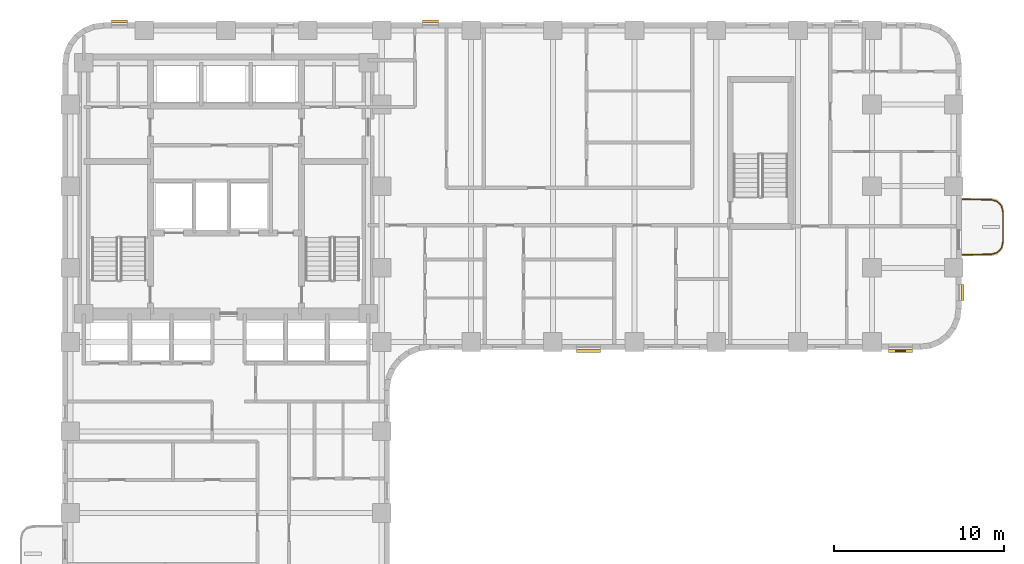
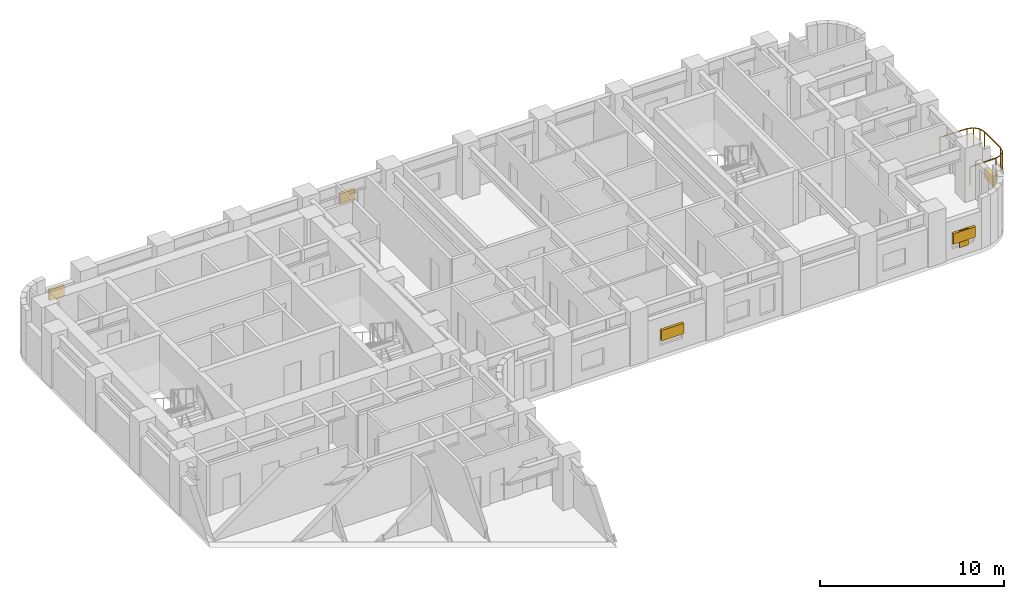
# One storey, part 10 of 11: 6 shading devices, 1 railing.
"""IFC4 building model written with IfcOpenShell, lengths in metres."""

from ifc_helpers import new_model, si_unit, direction, frame, origin, origin_2d, place, context, subcontext, project, spatial, rectangle, extrude, material, type_object, element, save


model = new_model("IFC4")

# Units and contexts
model_context = context("Model", 3, precision=1e-05, world=origin(), true_north=direction((0.0, 1.0)))
body_context = subcontext(model_context, "Body", "Model", "MODEL_VIEW")
ifc_project = project(units=[si_unit("LENGTHUNIT", "METRE"), si_unit("AREAUNIT", "SQUARE_METRE"), si_unit("VOLUMEUNIT", "CUBIC_METRE"), si_unit("PLANEANGLEUNIT", "RADIAN"), si_unit("MASSUNIT", "GRAM", prefix="KILO")], contexts=[model_context])

# Site, building, storey
site_placement = place(None, origin())
site = spatial("IfcSite", under=ifc_project, at=site_placement, CompositionType="ELEMENT")
building_placement = place(site_placement, origin())
building = spatial("IfcBuilding", under=site, at=building_placement, Name="Orvandelia Arch Residences", CompositionType="ELEMENT")
storey_placement = place(building_placement, frame((0.0, 0.0, 46.60009765625)))
storey = spatial("IfcBuildingStorey", under=building, at=storey_placement, Name="L11", CompositionType="ELEMENT", Elevation=46.60009765625)

# Railing
ifc_material_1 = material(Name="Marine-Grade Stainless Steel 316", Category="steel")
railing_type = type_object("IfcRailingType", Name="GRD-BAL-1200", PredefinedType="BALUSTRADE", material=ifc_material_1)
railing_placement = place(storey_placement, frame((57.671875, 34.36962890625, 0.0)))
element("IfcRailing", 1, at=railing_placement, inside=storey, type_object=railing_type, Name="Safety Balustrade Guard GRD-L11-BAL-L11-E1-1", PredefinedType="BALUSTRADE", context=body_context, shape_type="SweptSolid", body=[
    extrude(rectangle(XDim=0.048095703125, YDim=0.048095703125, at=origin_2d()), frame((0.0, 0.0, 1.19580078125), z_axis=(0.999837384468, 0.018033430643, 0.0), x_axis=(-0.018033430643, 0.999837384468, 0.0)), (0.0, 0.0, 1.0), 1.6787109375),
    extrude(rectangle(XDim=0.048095703125, YDim=0.048095703125, at=origin_2d()), frame((1.678466796875, 0.0302734375, 1.19580078125), z_axis=(0.963441293861, 0.267919527627, 0.0), x_axis=(-0.267919527627, 0.963441293861, 0.0)), (0.0, 0.0, 1.0), 0.365478515625),
    extrude(rectangle(XDim=0.048095703125, YDim=0.048095703125, at=origin_2d()), frame((2.030517578125, 0.128173828125, 1.19580078125), z_axis=(0.688296224633, 0.725429739642, 0.0), x_axis=(-0.725429739642, 0.688296224633, 0.0)), (0.0, 0.0, 1.0), 0.3681640625),
    extrude(rectangle(XDim=0.048095703125, YDim=0.048095703125, at=origin_2d()), frame((2.283935546875, 0.395263671875, 1.19580078125), z_axis=(0.221225034864, 0.975222786828, 0.0), x_axis=(-0.975222786828, 0.221225034864, 0.0)), (0.0, 0.0, 1.0), 0.373046875),
    extrude(rectangle(XDim=0.048095703125, YDim=0.048095703125, at=origin_2d()), frame((2.366455078125, 0.759033203125, 1.19580078125), z_axis=(0.0, 1.0, 0.0), x_axis=(-1.0, 0.0, 0.0)), (0.0, 0.0, 1.0), 1.74267578125),
    extrude(rectangle(XDim=0.048095703125, YDim=0.048095703125, at=origin_2d()), frame((2.366455078125, 2.501708984375, 1.19580078125), z_axis=(-0.221225034864, 0.975222786828, 0.0), x_axis=(-0.975222786828, -0.221225034864, 0.0)), (0.0, 0.0, 1.0), 0.373046875),
    extrude(rectangle(XDim=0.048095703125, YDim=0.048095703125, at=origin_2d()), frame((2.283935546875, 2.865478515625, 1.19580078125), z_axis=(-0.688296224633, 0.725429739642, 0.0), x_axis=(-0.725429739642, -0.688296224633, 0.0)), (0.0, 0.0, 1.0), 0.3681640625),
    extrude(rectangle(XDim=0.048095703125, YDim=0.048095703125, at=origin_2d()), frame((2.030517578125, 3.132568359375, 1.19580078125), z_axis=(-0.963441293861, 0.267919527627, 0.0), x_axis=(-0.267919527627, -0.963441293861, 0.0)), (0.0, 0.0, 1.0), 0.365478515625),
    extrude(rectangle(XDim=0.048095703125, YDim=0.048095703125, at=origin_2d()), frame((1.678466796875, 3.23046875, 1.19580078125), z_axis=(-0.999837384468, 0.018033430643, 0.0), x_axis=(-0.018033430643, -0.999837384468, 0.0)), (0.0, 0.0, 1.0), 1.6787109375),
    extrude(rectangle(XDim=0.0419921875, YDim=0.0419921875, at=origin_2d()), origin(), (0.0, 0.0, 1.0), 1.171875),
    extrude(rectangle(XDim=0.0419921875, YDim=0.0419921875, at=origin_2d()), frame((1.678466796875, 0.0302734375, 0.0)), (0.0, 0.0, 1.0), 1.171875),
    extrude(rectangle(XDim=0.0419921875, YDim=0.0419921875, at=origin_2d()), frame((2.030517578125, 0.128173828125, 0.0)), (0.0, 0.0, 1.0), 1.171875),
    extrude(rectangle(XDim=0.0419921875, YDim=0.0419921875, at=origin_2d()), frame((2.283935546875, 0.395263671875, 0.0)), (0.0, 0.0, 1.0), 1.171875),
    extrude(rectangle(XDim=0.0419921875, YDim=0.0419921875, at=origin_2d()), frame((2.366455078125, 0.759033203125, 0.0)), (0.0, 0.0, 1.0), 1.171875),
    extrude(rectangle(XDim=0.0419921875, YDim=0.0419921875, at=origin_2d()), frame((2.366455078125, 2.501708984375, 0.0)), (0.0, 0.0, 1.0), 1.171875),
    extrude(rectangle(XDim=0.0419921875, YDim=0.0419921875, at=origin_2d()), frame((2.283935546875, 2.865478515625, 0.0)), (0.0, 0.0, 1.0), 1.171875),
    extrude(rectangle(XDim=0.0419921875, YDim=0.0419921875, at=origin_2d()), frame((2.030517578125, 3.132568359375, 0.0)), (0.0, 0.0, 1.0), 1.171875),
    extrude(rectangle(XDim=0.0419921875, YDim=0.0419921875, at=origin_2d()), frame((1.678466796875, 3.23046875, 0.0)), (0.0, 0.0, 1.0), 1.171875),
    extrude(rectangle(XDim=0.0419921875, YDim=0.0419921875, at=origin_2d()), frame((0.0, 3.2607421875, 0.0)), (0.0, 0.0, 1.0), 1.171875),
])

# Shading devices
ifc_material_2 = material(Name="Anodised Champagne-Bronze Extruded Aluminium", Category="aluminium")
shading_device_type_1 = type_object("IfcShadingDeviceType", Name="SHD-JALOUSIE-SCREEN", PredefinedType="JALOUSIE", material=ifc_material_2)
for number, where, z_axis, x_axis, name in (
    (2, (26.4150390625, 48.080078125, 1.5498046875), (0.0, 0.0, 1.0), (1.0, 0.0, 0.0), "Bronze Jalousie Sun-Shade L11-001"),
    (3, (8.14501953125, 48.080078125, 1.5498046875), (0.0, 0.0, 1.0), (1.0, 0.0, 0.0), "Bronze Jalousie Sun-Shade L11-002"),
    (4, (57.679931640625, 32.14501953125, 1.5498046875), (0.0, 0.0, 1.0), (0.0, -1.0, 0.0), "Bronze Jalousie Sun-Shade L11-004"),
):
    element("IfcShadingDevice", number, at=place(storey_placement, frame(where, z_axis=z_axis, x_axis=x_axis)), inside=storey, type_object=shading_device_type_1, Name=name, PredefinedType="JALOUSIE", context=body_context, shape_type="SweptSolid", body=[
        extrude(rectangle(XDim=0.949951171875, YDim=0.159912109375, at=origin_2d()), origin(), (0.0, 0.0, 1.0), 0.699951171875),
    ])
for number, where, z_axis, x_axis, name in (
    (5, (35.68505859375, 28.719970703125, 1.0498046875), (0.0, 0.0, 1.0), (-1.0, 0.0, 0.0), "Bronze Jalousie Sun-Shade L11-005"),
    (6, (54.030029296875, 28.719970703125, 1.0498046875), (0.0, 0.0, 1.0), (-1.0, 0.0, 0.0), "Bronze Jalousie Sun-Shade L11-006"),
):
    element("IfcShadingDevice", number, at=place(storey_placement, frame(where, z_axis=z_axis, x_axis=x_axis)), inside=storey, type_object=shading_device_type_1, Name=name, PredefinedType="JALOUSIE", context=body_context, shape_type="SweptSolid", body=[
        extrude(rectangle(XDim=1.39990234375, YDim=0.159912109375, at=origin_2d()), origin(), (0.0, 0.0, 1.0), 0.699951171875),
    ])
ifc_material_3 = material(Name="Marine-Grade Perforated Aluminium Storm Shutter", Category="aluminium")
shading_device_type_2 = type_object("IfcShadingDeviceType", Name="SHD-STORM-SHUTTER", PredefinedType="SHUTTER", material=ifc_material_3)
shading_device_placement = place(storey_placement, frame((54.030029296875, 28.719970703125, 0.64990234375), z_axis=(0.0, 0.0, 1.0), x_axis=(-1.0, 0.0, 0.0)))
element("IfcShadingDevice", 7, at=shading_device_placement, inside=storey, type_object=shading_device_type_2, Name="Operable Typhoon Storm Shutter L11-006", PredefinedType="SHUTTER", context=body_context, shape_type="SweptSolid", body=[
    extrude(rectangle(XDim=0.550048828125, YDim=0.080078125, at=origin_2d()), origin(), (0.0, 0.0, 1.0), 1.10009765625),
])

save(model, "model.ifc")
